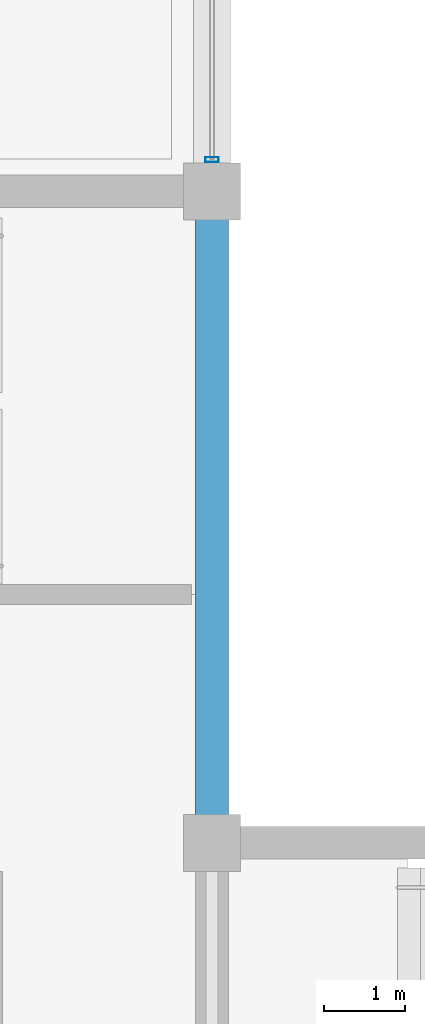
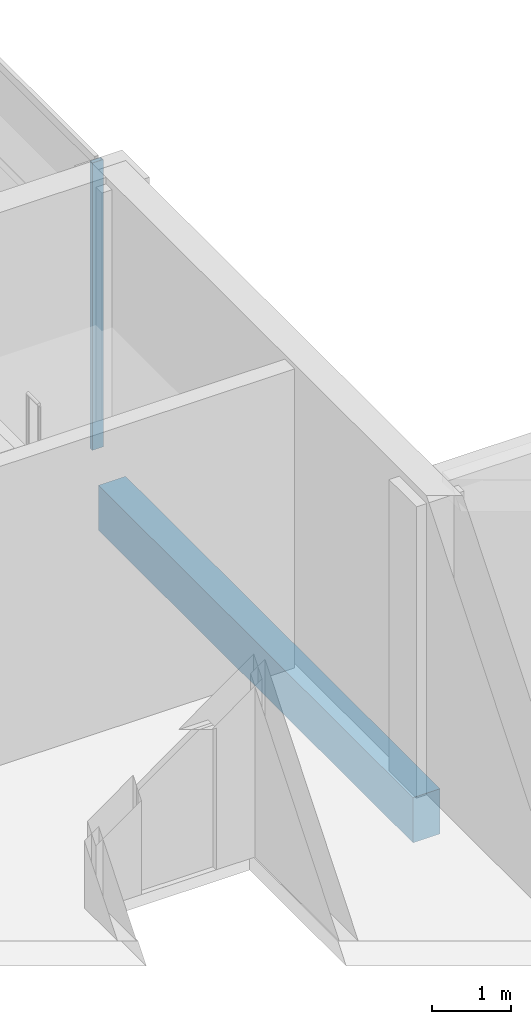
# One storey, part 18 of 101: 1 beam, 1 member, 1 element without a shape of its own.
"""IFC4 building model written with IfcOpenShell, lengths in metres."""

from ifc_helpers import new_model, si_unit, direction, frame, origin, origin_2d, place, context, subcontext, project, spatial, rectangle, hollow_rectangle, extrude, material, material_profile, profile_set, type_object, element, aggregate, save


model = new_model("IFC4")

# Units and contexts
model_context = context("Model", 3, precision=1e-05, world=origin(), true_north=direction((0.0, 1.0)))
body_context = subcontext(model_context, "Body", "Model", "MODEL_VIEW")
ifc_project = project(units=[si_unit("LENGTHUNIT", "METRE"), si_unit("AREAUNIT", "SQUARE_METRE"), si_unit("VOLUMEUNIT", "CUBIC_METRE"), si_unit("PLANEANGLEUNIT", "RADIAN"), si_unit("MASSUNIT", "GRAM", prefix="KILO")], contexts=[model_context])

# Site, building, storey
site_placement = place(None, origin())
site = spatial("IfcSite", under=ifc_project, at=site_placement, CompositionType="ELEMENT")
building_placement = place(site_placement, origin())
building = spatial("IfcBuilding", under=site, at=building_placement, Name="Solvikara Media Centre", CompositionType="ELEMENT")
storey_placement = place(building_placement, frame((0.0, 0.0, 10.199951171875)))
storey = spatial("IfcBuildingStorey", under=building, at=storey_placement, Name="L02", CompositionType="ELEMENT", Elevation=10.199951171875)

# Beam
ifc_material_1 = material(Name="Concrete fc' 35 MPa (C35/45)", Category="concrete")
ifc_material_profile_1 = material_profile(ifc_material_1, rectangle(XDim=0.39990234375, YDim=0.699951171875, at=origin_2d()), Name="RC 400x700")
ifc_profile_set_1 = profile_set([ifc_material_profile_1], Name="Concrete fc' 35 MPa (C35/45)")
beam_type = type_object("IfcBeamType", Name="BM-13", PredefinedType="SPANDREL", material=ifc_profile_set_1)
beam_placement = place(storey_placement, frame((34.0, 36.800048828125, -0.60986328125), z_axis=(0.0, 1.0, 0.0), x_axis=(-1.0, 0.0, 0.0)))
element("IfcBeam", 1, at=beam_placement, inside=storey, type_object=beam_type, Name="B-L02-Y0949", PredefinedType="SPANDREL", context=body_context, shape_type="SweptSolid", body=[
    extrude(rectangle(XDim=0.39990234375, YDim=0.699951171875, at=origin_2d()), origin(), (0.0, 0.0, 1.0), 8.0),
])

# Curtain wall, member
ifc_material_2 = material(Name="Anodised aluminium EN AW-6063", Category="aluminium")
curtain_wall_type = type_object("IfcCurtainWallType", Name="CW-07", PredefinedType="NOTDEFINED", material=ifc_material_2)
curtain_wall_placement = place(storey_placement, origin())
curtain_wall = element("IfcCurtainWall", 2, at=curtain_wall_placement, inside=storey, type_object=curtain_wall_type, Name="CW-L02-V4E-S1", PredefinedType="NOTDEFINED")
ifc_material_profile_2 = material_profile(ifc_material_2, hollow_rectangle(XDim=0.06005859375, YDim=0.159912109375, WallThickness=0.00341796875, at=origin_2d()), Name="ALU-M 60x160x3.5")
ifc_profile_set_2 = profile_set([ifc_material_profile_2], Name="Anodised aluminium EN AW-6063")
member_type = type_object("IfcMemberType", Name="MF-04", PredefinedType="MULLION", material=ifc_profile_set_2)
member_placement = place(storey_placement, frame((34.0, 45.18994140625, 0.02001953125), z_axis=(0.0, 0.0, 1.0), x_axis=(0.0, 1.0, 0.0)))
member = element("IfcMember", 3, at=member_placement, type_object=member_type, Name="CW-L02-V4E-S1-M00", PredefinedType="MULLION", context=body_context, shape_type="SweptSolid", body=[
    extrude(hollow_rectangle(XDim=0.06005859375, YDim=0.159912109375, WallThickness=0.00341796875, at=origin_2d()), origin(), (0.0, 0.0, 1.0), 4.4599609375),
])
aggregate(curtain_wall, [member])

save(model, "model.ifc")
